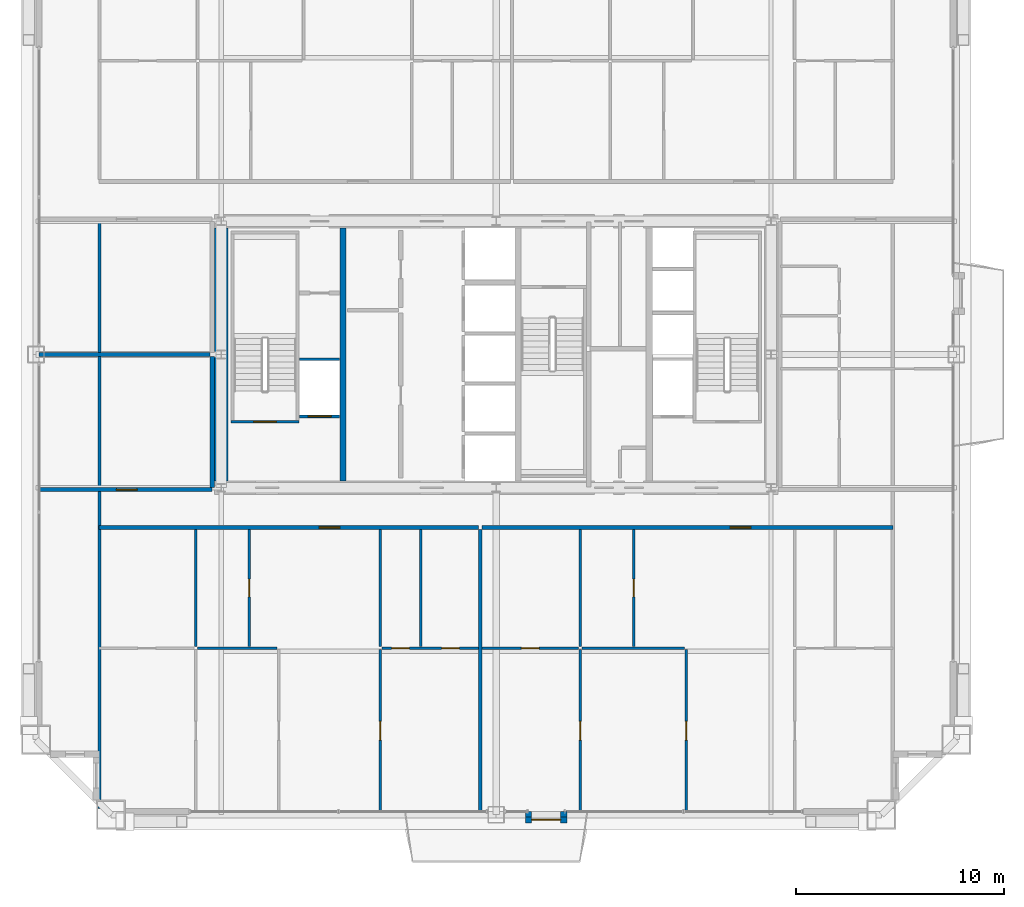
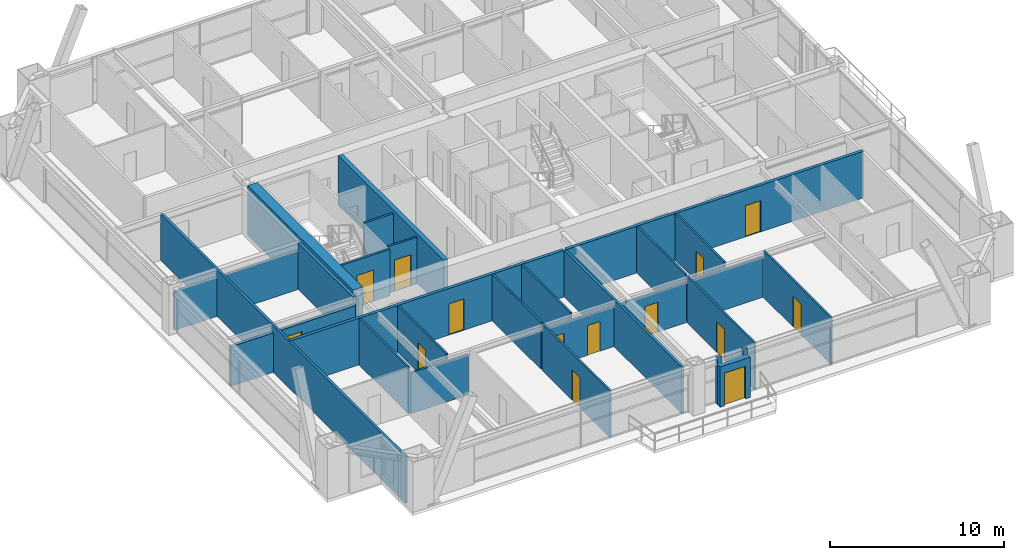
# One storey, part 40 of 45: 28 walls, 14 doors, 14 openings.
"""IFC4 building model written with IfcOpenShell, lengths in metres."""

from ifc_helpers import new_model, si_unit, direction, frame, frame_2d, origin, place, context, subcontext, project, spatial, rectangle, extrude, source, transform, mapped, material, layer, layer_set, type_object, element, fill, save


model = new_model("IFC4")

# Units and contexts
model_context = context("Model", 3, precision=1e-05, world=origin(), true_north=direction((0.0, 1.0)))
body_context = subcontext(model_context, "Body", "Model", "MODEL_VIEW")
ifc_project = project(units=[si_unit("LENGTHUNIT", "METRE"), si_unit("AREAUNIT", "SQUARE_METRE"), si_unit("VOLUMEUNIT", "CUBIC_METRE"), si_unit("PLANEANGLEUNIT", "RADIAN"), si_unit("MASSUNIT", "GRAM", prefix="KILO"), si_unit("THERMODYNAMICTEMPERATUREUNIT", "KELVIN"), si_unit("POWERUNIT", "WATT")], contexts=[model_context])

# Site, building, storey
site_placement = place(None, origin())
site = spatial("IfcSite", under=ifc_project, at=site_placement, CompositionType="ELEMENT")
building_placement = place(site_placement, origin())
building = spatial("IfcBuilding", under=site, at=building_placement, Name="Yuzanri Waterfront Tower", CompositionType="ELEMENT")
storey_placement = place(building_placement, frame((0.0, 0.0, 191.5)))
storey = spatial("IfcBuildingStorey", under=building, at=storey_placement, Name="L50", CompositionType="ELEMENT", Elevation=191.5)

# Wall, opening, door
ifc_material_1 = material(Name="Moisture-Resistant Gypsum Stud Wall", Category="gypsum")
ifc_layer_1 = layer(ifc_material_1, 0.1201171875)
ifc_layer_set_1 = layer_set([ifc_layer_1], Name="Moisture-Resistant Gypsum Stud Wall")
wall_type_1 = type_object("IfcWallType", Name="Bathroom and Kitchen Wet Partition 120", PredefinedType="PARTITIONING", material=ifc_layer_set_1)
wall_1_placement = place(storey_placement, frame((25.134033203125, 11.780029296875, 0.0), z_axis=(0.0, 0.0, 1.0), x_axis=(0.0, 1.0, 0.0)))
wall_1 = element("IfcWall", 1, at=wall_1_placement, inside=storey, type_object=wall_type_1, Name="L50 Partition UW-L50-RS1-SUB-2-E", PredefinedType="PARTITIONING", context=body_context, shape_type="SweptSolid", body=[
    extrude(rectangle(XDim=5.60986328125, YDim=0.1201171875, at=frame_2d((2.804931640625, 0.0))), origin(), (0.0, 0.0, 1.0), 3.280029296875),
])
opening_1_placement = place(wall_1_placement, frame((2.3798828125, 0.0, 0.0)))
opening_1 = element("IfcOpeningElement", 2, at=opening_1_placement, cuts=wall_1, Name="Opening ID-0850", PredefinedType="OPENING", context=body_context, shape_type="SweptSolid", body=[
    extrude(rectangle(XDim=0.85009765625, YDim=2.10009765625, at=frame_2d((0.425048828125, 1.050048828125))), frame((0.0, 0.074951171875, 0.0), z_axis=(0.0, -1.0, 0.0), x_axis=(1.0, 0.0, 0.0)), (0.0, 0.0, 1.0), 0.14990234375),
])
ifc_material_2 = material(Name="Moisture-Resistant Lacquered Timber", Category="wood")
door_type_1 = type_object("IfcDoorType", Name="En-Suite Bathroom and Kitchen Swing Door 850x2100", OperationType="NOTDEFINED", PredefinedType="DOOR", material=ifc_material_2)
shared_shape_1 = source(origin(), body_context, "Body", "SweptSolid", [
    extrude(rectangle(XDim=0.85009765625, YDim=2.10009765625, at=frame_2d((0.425048828125, 1.050048828125))), frame((0.0, 0.02490234375, 0.0), z_axis=(0.0, -1.0, 0.0), x_axis=(1.0, 0.0, 0.0)), (0.0, 0.0, 1.0), 0.050048828125),
])
door_1_placement = place(opening_1_placement, origin())
door_1 = element("IfcDoor", 3, at=door_1_placement, inside=storey, type_object=door_type_1, Name="L50 Suite Interior Room Door", OperationType="SINGLE_SWING_RIGHT", OverallHeight=2.10009765625, OverallWidth=0.85009765625, PredefinedType="DOOR", context=body_context, shape_type="MappedRepresentation", body=[
    mapped(shared_shape_1, transform((0.0, 0.0, 0.0), scale=1.0)),
])
fill(opening_1, door_1)

# Wall, openings, doors
wall_2_placement = place(storey_placement, frame((31.510986328125, 11.699951171875, 0.0), z_axis=(0.0, 0.0, 1.0), x_axis=(1.0, 0.0, 0.0)))
wall_2 = element("IfcWall", 4, at=wall_2_placement, inside=storey, type_object=wall_type_1, Name="L50 Partition UW-L50-RS1-SUB-6-N", PredefinedType="PARTITIONING", context=body_context, shape_type="SweptSolid", body=[
    extrude(rectangle(XDim=4.64697265625, YDim=0.1201171875, at=frame_2d((2.323486328125, 0.0))), origin(), (0.0, 0.0, 1.0), 2.875),
])
opening_2_placement = place(wall_2_placement, frame((2.8720703125, 0.0, 0.0)))
opening_2 = element("IfcOpeningElement", 5, at=opening_2_placement, cuts=wall_2, Name="Opening ID-0850", PredefinedType="OPENING", context=body_context, shape_type="SweptSolid", body=[
    extrude(rectangle(XDim=0.85009765625, YDim=2.10009765625, at=frame_2d((0.425048828125, 1.050048828125))), frame((0.0, 0.074951171875, 0.0), z_axis=(0.0, -1.0, 0.0), x_axis=(1.0, 0.0, 0.0)), (0.0, 0.0, 1.0), 0.14990234375),
])
opening_3_placement = place(wall_2_placement, frame((0.468505859375, 0.0, 0.0)))
opening_3 = element("IfcOpeningElement", 6, at=opening_3_placement, cuts=wall_2, Name="Opening ID-0850", PredefinedType="OPENING", context=body_context, shape_type="SweptSolid", body=[
    extrude(rectangle(XDim=0.85009765625, YDim=2.10009765625, at=frame_2d((0.425048828125, 1.050048828125))), frame((0.0, 0.074951171875, 0.0), z_axis=(0.0, -1.0, 0.0), x_axis=(1.0, 0.0, 0.0)), (0.0, 0.0, 1.0), 0.14990234375),
])
door_2_placement = place(opening_2_placement, origin())
door_2 = element("IfcDoor", 7, at=door_2_placement, inside=storey, type_object=door_type_1, Name="L50 Suite Interior Room Door", OperationType="SINGLE_SWING_LEFT", OverallHeight=2.10009765625, OverallWidth=0.85009765625, PredefinedType="DOOR", context=body_context, shape_type="MappedRepresentation", body=[
    mapped(shared_shape_1, transform((0.0, 0.0, 0.0), scale=1.0)),
])
fill(opening_2, door_2)
door_3_placement = place(opening_3_placement, origin())
door_3 = element("IfcDoor", 8, at=door_3_placement, inside=storey, type_object=door_type_1, Name="L50 Suite Interior Room Door", OperationType="SINGLE_SWING_RIGHT", OverallHeight=2.10009765625, OverallWidth=0.85009765625, PredefinedType="DOOR", context=body_context, shape_type="MappedRepresentation", body=[
    mapped(shared_shape_1, transform((0.0, 0.0, 0.0), scale=1.0)),
])
fill(opening_3, door_3)

# Wall, opening, door
wall_3_placement = place(storey_placement, frame((31.430908203125, 3.85009765625, 0.0), z_axis=(0.0, 0.0, 1.0), x_axis=(0.0, 1.0, 0.0)))
wall_3 = element("IfcWall", 9, at=wall_3_placement, inside=storey, type_object=wall_type_1, Name="L50 Partition UW-L50-RS1-SUB-6-W", PredefinedType="PARTITIONING", context=body_context, shape_type="SweptSolid", body=[
    extrude(rectangle(XDim=7.77001953125, YDim=0.1201171875, at=frame_2d((3.885009765625, 0.0))), origin(), (0.0, 0.0, 1.0), 3.280029296875),
])
opening_4_placement = place(wall_3_placement, frame((3.43505859375, 0.0, 0.0)))
opening_4 = element("IfcOpeningElement", 10, at=opening_4_placement, cuts=wall_3, Name="Opening ID-0900", PredefinedType="OPENING", context=body_context, shape_type="SweptSolid", body=[
    extrude(rectangle(XDim=0.89990234375, YDim=2.14990234375, at=frame_2d((0.449951171875, 1.074951171875))), frame((0.0, 0.074951171875, 0.0), z_axis=(0.0, -1.0, 0.0), x_axis=(1.0, 0.0, 0.0)), (0.0, 0.0, 1.0), 0.14990234375),
])
ifc_material_3 = material(Name="Stained Walnut Veneer Timber", Category="wood")
door_type_2 = type_object("IfcDoorType", Name="Bedroom and Study Interior Swing Door 900x2150", OperationType="NOTDEFINED", PredefinedType="DOOR", material=ifc_material_3)
shared_shape_2 = source(origin(), body_context, "Body", "SweptSolid", [
    extrude(rectangle(XDim=0.89990234375, YDim=2.14990234375, at=frame_2d((0.449951171875, 1.074951171875))), frame((0.0, 0.02490234375, 0.0), z_axis=(0.0, -1.0, 0.0), x_axis=(1.0, 0.0, 0.0)), (0.0, 0.0, 1.0), 0.050048828125),
])
door_4_placement = place(opening_4_placement, origin())
door_4 = element("IfcDoor", 11, at=door_4_placement, inside=storey, type_object=door_type_2, Name="L50 Suite Interior Room Door", OperationType="SINGLE_SWING_RIGHT", OverallHeight=2.14990234375, OverallWidth=0.89990234375, PredefinedType="DOOR", context=body_context, shape_type="MappedRepresentation", body=[
    mapped(shared_shape_2, transform((0.0, 0.0, 0.0), scale=1.0)),
])
fill(opening_4, door_4)

wall_4_placement = place(storey_placement, frame((36.318115234375, 11.699951171875, 0.0), z_axis=(0.0, 0.0, 1.0), x_axis=(1.0, 0.0, 0.0)))
wall_4 = element("IfcWall", 12, at=wall_4_placement, inside=storey, type_object=wall_type_1, Name="L50 Partition UW-L50-RS2-SUB-1-S", PredefinedType="PARTITIONING", context=body_context, shape_type="SweptSolid", body=[
    extrude(rectangle(XDim=4.64697265625, YDim=0.1201171875, at=frame_2d((2.323486328125, 0.0))), origin(), (0.0, 0.0, 1.0), 2.875),
])
opening_5_placement = place(wall_4_placement, frame((1.8984375, 0.0, 0.0)))
opening_5 = element("IfcOpeningElement", 13, at=opening_5_placement, cuts=wall_4, Name="Opening ID-0850", PredefinedType="OPENING", context=body_context, shape_type="SweptSolid", body=[
    extrude(rectangle(XDim=0.85009765625, YDim=2.10009765625, at=frame_2d((0.425048828125, 1.050048828125))), frame((0.0, 0.074951171875, 0.0), z_axis=(0.0, -1.0, 0.0), x_axis=(1.0, 0.0, 0.0)), (0.0, 0.0, 1.0), 0.14990234375),
])
door_5_placement = place(opening_5_placement, origin())
door_5 = element("IfcDoor", 14, at=door_5_placement, inside=storey, type_object=door_type_1, Name="L50 Suite Interior Room Door", OperationType="SINGLE_SWING_LEFT", OverallHeight=2.10009765625, OverallWidth=0.85009765625, PredefinedType="DOOR", context=body_context, shape_type="MappedRepresentation", body=[
    mapped(shared_shape_1, transform((0.0, 0.0, 0.0), scale=1.0)),
])
fill(opening_5, door_5)

wall_5_placement = place(storey_placement, frame((43.60498046875, 11.780029296875, 0.0), z_axis=(0.0, 0.0, 1.0), x_axis=(0.0, 1.0, 0.0)))
wall_5 = element("IfcWall", 15, at=wall_5_placement, inside=storey, type_object=wall_type_1, Name="L50 Partition UW-L50-RS2-SUB-2-E", PredefinedType="PARTITIONING", context=body_context, shape_type="SweptSolid", body=[
    extrude(rectangle(XDim=5.60986328125, YDim=0.1201171875, at=frame_2d((2.804931640625, 0.0))), origin(), (0.0, 0.0, 1.0), 3.280029296875),
])
opening_6_placement = place(wall_5_placement, frame((2.3798828125, 0.0, 0.0)))
opening_6 = element("IfcOpeningElement", 16, at=opening_6_placement, cuts=wall_5, Name="Opening ID-0850", PredefinedType="OPENING", context=body_context, shape_type="SweptSolid", body=[
    extrude(rectangle(XDim=0.85009765625, YDim=2.10009765625, at=frame_2d((0.425048828125, 1.050048828125))), frame((0.0, 0.074951171875, 0.0), z_axis=(0.0, -1.0, 0.0), x_axis=(1.0, 0.0, 0.0)), (0.0, 0.0, 1.0), 0.14990234375),
])
door_6_placement = place(opening_6_placement, origin())
door_6 = element("IfcDoor", 17, at=door_6_placement, inside=storey, type_object=door_type_1, Name="L50 Suite Interior Room Door", OperationType="SINGLE_SWING_RIGHT", OverallHeight=2.10009765625, OverallWidth=0.85009765625, PredefinedType="DOOR", context=body_context, shape_type="MappedRepresentation", body=[
    mapped(shared_shape_1, transform((0.0, 0.0, 0.0), scale=1.0)),
])
fill(opening_6, door_6)

wall_6_placement = place(storey_placement, frame((41.044921875, 3.85009765625, 0.0), z_axis=(0.0, 0.0, 1.0), x_axis=(0.0, 1.0, 0.0)))
wall_6 = element("IfcWall", 18, at=wall_6_placement, inside=storey, type_object=wall_type_1, Name="L50 Partition UW-L50-RS2-SUB-5-E", PredefinedType="PARTITIONING", context=body_context, shape_type="SweptSolid", body=[
    extrude(rectangle(XDim=7.77001953125, YDim=0.1201171875, at=frame_2d((3.885009765625, 0.0))), origin(), (0.0, 0.0, 1.0), 3.280029296875),
])
opening_7_placement = place(wall_6_placement, frame((3.43505859375, 0.0, 0.0)))
opening_7 = element("IfcOpeningElement", 19, at=opening_7_placement, cuts=wall_6, Name="Opening ID-0900", PredefinedType="OPENING", context=body_context, shape_type="SweptSolid", body=[
    extrude(rectangle(XDim=0.89990234375, YDim=2.14990234375, at=frame_2d((0.449951171875, 1.074951171875))), frame((0.0, 0.074951171875, 0.0), z_axis=(0.0, -1.0, 0.0), x_axis=(1.0, 0.0, 0.0)), (0.0, 0.0, 1.0), 0.14990234375),
])
door_7_placement = place(opening_7_placement, origin())
door_7 = element("IfcDoor", 20, at=door_7_placement, inside=storey, type_object=door_type_2, Name="L50 Suite Interior Room Door", OperationType="SINGLE_SWING_LEFT", OverallHeight=2.14990234375, OverallWidth=0.89990234375, PredefinedType="DOOR", context=body_context, shape_type="MappedRepresentation", body=[
    mapped(shared_shape_2, transform((0.0, 0.0, 0.0), scale=1.0)),
])
fill(opening_7, door_7)

wall_7_placement = place(storey_placement, frame((46.133056640625, 3.85009765625, 0.0), z_axis=(0.0, 0.0, 1.0), x_axis=(0.0, 1.0, 0.0)))
wall_7 = element("IfcWall", 21, at=wall_7_placement, inside=storey, type_object=wall_type_1, Name="L50 Partition UW-L50-RS2-SUB-7-E", PredefinedType="PARTITIONING", context=body_context, shape_type="SweptSolid", body=[
    extrude(rectangle(XDim=7.77001953125, YDim=0.1201171875, at=frame_2d((3.885009765625, 0.0))), origin(), (0.0, 0.0, 1.0), 3.280029296875),
])
opening_8_placement = place(wall_7_placement, frame((3.43505859375, 0.0, 0.0)))
opening_8 = element("IfcOpeningElement", 22, at=opening_8_placement, cuts=wall_7, Name="Opening ID-0900", PredefinedType="OPENING", context=body_context, shape_type="SweptSolid", body=[
    extrude(rectangle(XDim=0.89990234375, YDim=2.14990234375, at=frame_2d((0.449951171875, 1.074951171875))), frame((0.0, 0.074951171875, 0.0), z_axis=(0.0, -1.0, 0.0), x_axis=(1.0, 0.0, 0.0)), (0.0, 0.0, 1.0), 0.14990234375),
])
door_8_placement = place(opening_8_placement, origin())
door_8 = element("IfcDoor", 23, at=door_8_placement, inside=storey, type_object=door_type_2, Name="L50 Suite Interior Room Door", OperationType="SINGLE_SWING_LEFT", OverallHeight=2.14990234375, OverallWidth=0.89990234375, PredefinedType="DOOR", context=body_context, shape_type="MappedRepresentation", body=[
    mapped(shared_shape_2, transform((0.0, 0.0, 0.0), scale=1.0)),
])
fill(opening_8, door_8)

ifc_material_4 = material(Name="Honed Chongqing Dark Basalt Stone", Category="masonry")
ifc_layer_2 = layer(ifc_material_4, 0.300048828125)
ifc_layer_set_2 = layer_set([ifc_layer_2], Name="Honed Chongqing Dark Basalt Stone")
wall_type_2 = type_object("IfcWallType", Name="Bronze Rainscreen Insulated Spandrel Portal Wall 300", PredefinedType="SOLIDWALL", material=ifc_layer_set_2)
wall_8_placement = place(storey_placement, frame((38.39990234375, 3.449951171875, 0.0), z_axis=(0.0, 0.0, 1.0), x_axis=(1.0, 0.0, 0.0)))
wall_8 = element("IfcWall", 24, at=wall_8_placement, inside=storey, type_object=wall_type_2, Name="L50 S Terrace Door Portal Wall", PredefinedType="SOLIDWALL", context=body_context, shape_type="SweptSolid", body=[
    extrude(rectangle(XDim=2.0, YDim=0.300048828125, at=frame_2d((1.0, 0.0))), origin(), (0.0, 0.0, 1.0), 2.8349609375),
])
opening_9_placement = place(wall_8_placement, frame((0.300048828125, 0.0, 0.0)))
opening_9 = element("IfcOpeningElement", 25, at=opening_9_placement, cuts=wall_8, Name="Opening TD-1400", PredefinedType="OPENING", context=body_context, shape_type="SweptSolid", body=[
    extrude(rectangle(XDim=1.39990234375, YDim=2.300048828125, at=frame_2d((0.699951171875, 1.14990234375))), frame((0.0, 0.1650390625, 0.0), z_axis=(0.0, -1.0, 0.0), x_axis=(1.0, 0.0, 0.0)), (0.0, 0.0, 1.0), 0.329833984375),
])
ifc_material_5 = material(Name="Anodized Architectural Bronze", Category="metal")
door_type_3 = type_object("IfcDoorType", Name="Anodized Bronze Balcony and Terrace Glazed Double Door 1400x2300", OperationType="NOTDEFINED", PredefinedType="DOOR", material=ifc_material_5)
shared_shape_3 = source(origin(), body_context, "Body", "SweptSolid", [
    extrude(rectangle(XDim=1.39990234375, YDim=2.300048828125, at=frame_2d((0.699951171875, 1.14990234375))), frame((0.0, 0.02490234375, 0.0), z_axis=(0.0, -1.0, 0.0), x_axis=(1.0, 0.0, 0.0)), (0.0, 0.0, 1.0), 0.050048828125),
])
door_9_placement = place(opening_9_placement, origin())
door_9 = element("IfcDoor", 26, at=door_9_placement, inside=storey, type_object=door_type_3, Name="L50 S Terrace Glazed Double Door", OperationType="DOUBLE_DOOR_SINGLE_SWING", OverallHeight=2.300048828125, OverallWidth=1.39990234375, PredefinedType="DOOR", context=body_context, shape_type="MappedRepresentation", body=[
    mapped(shared_shape_3, transform((0.0, 0.0, 0.0), scale=1.0)),
])
fill(opening_9, door_9)

ifc_material_6 = material(Name="Concrete C40", Category="concrete")
ifc_layer_3 = layer(ifc_material_6, 0.139892578125)
ifc_layer_set_3 = layer_set([ifc_layer_3], Name="Concrete C40")
wall_type_3 = type_object("IfcWallType", Name="Core Stair Liner and Hoistway Shaft Wall 140", PredefinedType="SOLIDWALL", material=ifc_layer_set_3)
wall_9_placement = place(storey_placement, frame((27.56005859375, 22.830078125, 0.0), z_axis=(0.0, 0.0, 1.0), x_axis=(1.0, 0.0, 0.0)))
wall_9 = element("IfcWall", 27, at=wall_9_placement, inside=storey, type_object=wall_type_3, Name="L50 Lift FL-01 Front Shaft Wall", PredefinedType="SOLIDWALL", context=body_context, shape_type="SweptSolid", body=[
    extrude(rectangle(XDim=1.919921875, YDim=0.139892578125, at=frame_2d((0.9599609375, 0.0))), origin(), (0.0, 0.0, 1.0), 3.280029296875),
])
opening_10_placement = place(wall_9_placement, frame((0.409912109375, 0.0, 0.0)))
opening_10 = element("IfcOpeningElement", 28, at=opening_10_placement, cuts=wall_9, Name="Opening LD-FL-01", PredefinedType="OPENING", context=body_context, shape_type="SweptSolid", body=[
    extrude(rectangle(XDim=1.10009765625, YDim=2.199951171875, at=frame_2d((0.550048828125, 1.10009765625))), frame((0.0, 0.0849609375, 0.0), z_axis=(0.0, -1.0, 0.0), x_axis=(1.0, 0.0, 0.0)), (0.0, 0.0, 1.0), 0.169677734375),
])
ifc_material_7 = material(Name="Brushed Bronze and Stainless Steel Cab", Category="steel")
door_type_4 = type_object("IfcDoorType", Name="Center-Parting Bronze Lift Landing Sliding Door 1100x2200", OperationType="NOTDEFINED", PredefinedType="DOOR", material=ifc_material_7)
shared_shape_4 = source(origin(), body_context, "Body", "SweptSolid", [
    extrude(rectangle(XDim=1.10009765625, YDim=2.199951171875, at=frame_2d((0.550048828125, 1.10009765625))), frame((0.0, 0.02490234375, 0.0), z_axis=(0.0, -1.0, 0.0), x_axis=(1.0, 0.0, 0.0)), (0.0, 0.0, 1.0), 0.050048828125),
])
door_10_placement = place(opening_10_placement, origin())
door_10 = element("IfcDoor", 29, at=door_10_placement, inside=storey, type_object=door_type_4, Name="L50 FL-01 Lift Landing Sliding Door", OperationType="SLIDING_TO_LEFT", OverallHeight=2.199951171875, OverallWidth=1.10009765625, PredefinedType="DOOR", context=body_context, shape_type="MappedRepresentation", body=[
    mapped(shared_shape_4, transform((0.0, 0.0, 0.0), scale=1.0)),
])
fill(opening_10, door_10)

wall_10_placement = place(storey_placement, frame((24.260009765625, 22.570068359375, 0.0), z_axis=(0.0, 0.0, 1.0), x_axis=(1.0, 0.0, 0.0)))
wall_10 = element("IfcWall", 30, at=wall_10_placement, inside=storey, type_object=wall_type_3, Name="L50 Shaft Wall STW-L50-ST-01-S", PredefinedType="SOLIDWALL", context=body_context, shape_type="SweptSolid", body=[
    extrude(rectangle(XDim=3.280029296875, YDim=0.139892578125, at=frame_2d((1.64013671875, 0.0))), origin(), (0.0, 0.0, 1.0), 3.280029296875),
])
opening_11_placement = place(wall_10_placement, frame((1.090087890625, 0.0, 0.0)))
opening_11 = element("IfcOpeningElement", 31, at=opening_11_placement, cuts=wall_10, Name="Opening FD-1100", PredefinedType="OPENING", context=body_context, shape_type="SweptSolid", body=[
    extrude(rectangle(XDim=1.10009765625, YDim=2.199951171875, at=frame_2d((0.550048828125, 1.10009765625))), frame((0.0, 0.0849609375, 0.0), z_axis=(0.0, -1.0, 0.0), x_axis=(1.0, 0.0, 0.0)), (0.0, 0.0, 1.0), 0.169677734375),
])
ifc_material_8 = material(Name="Painted Galvanized Fire Steel", Category="steel")
door_type_5 = type_object("IfcDoorType", Name="Smoke-Proof Stair and Lobby Fire Door 1100x2200", OperationType="NOTDEFINED", PredefinedType="DOOR", material=ifc_material_8)
shared_shape_5 = source(origin(), body_context, "Body", "SweptSolid", [
    extrude(rectangle(XDim=1.10009765625, YDim=2.199951171875, at=frame_2d((0.550048828125, 1.10009765625))), frame((0.0, 0.02490234375, 0.0), z_axis=(0.0, -1.0, 0.0), x_axis=(1.0, 0.0, 0.0)), (0.0, 0.0, 1.0), 0.050048828125),
])
door_11_placement = place(opening_11_placement, origin())
door_11 = element("IfcDoor", 32, at=door_11_placement, inside=storey, type_object=door_type_5, Name="L50 Stair ST-01 Fire Door", OperationType="SINGLE_SWING_RIGHT", OverallHeight=2.199951171875, OverallWidth=1.10009765625, PredefinedType="DOOR", context=body_context, shape_type="MappedRepresentation", body=[
    mapped(shared_shape_5, transform((0.0, 0.0, 0.0), scale=1.0)),
])
fill(opening_11, door_11)

ifc_material_9 = material(Name="Autoclaved Aerated Concrete Blockwork", Category="masonry")
ifc_layer_4 = layer(ifc_material_9, 0.199951171875)
ifc_layer_set_4 = layer_set([ifc_layer_4], Name="Autoclaved Aerated Concrete Blockwork")
wall_type_4 = type_object("IfcWallType", Name="Corridor and Unit Party Fire Wall 200", PredefinedType="PARTITIONING", material=ifc_layer_set_4)
wall_11_placement = place(storey_placement, frame((17.93994140625, 17.489990234375, 0.0), z_axis=(0.0, 0.0, 1.0), x_axis=(1.0, 0.0, 0.0)))
wall_11 = element("IfcWall", 33, at=wall_11_placement, inside=storey, type_object=wall_type_4, Name="L50 Partition UW-L50-RS1-CN", PredefinedType="PARTITIONING", context=body_context, shape_type="SweptSolid", body=[
    extrude(rectangle(XDim=18.218017578125, YDim=0.199951171875, at=frame_2d((9.10888671875, 0.0))), origin(), (0.0, 0.0, 1.0), 3.280029296875),
])
opening_12_placement = place(wall_11_placement, frame((10.555908203125, 0.0, 0.0)))
opening_12 = element("IfcOpeningElement", 34, at=opening_12_placement, cuts=wall_11, Name="Opening FD-1000", PredefinedType="OPENING", context=body_context, shape_type="SweptSolid", body=[
    extrude(rectangle(XDim=1.0, YDim=2.199951171875, at=frame_2d((0.5, 1.10009765625))), frame((0.0, 0.11474609375, 0.0), z_axis=(0.0, -1.0, 0.0), x_axis=(1.0, 0.0, 0.0)), (0.0, 0.0, 1.0), 0.229736328125),
])
ifc_material_10 = material(Name="Engineered Oak Fire-Rated Timber", Category="wood")
door_type_6 = type_object("IfcDoorType", Name="Guestroom and Apartment Entrance Fire Door 1000x2200", OperationType="NOTDEFINED", PredefinedType="DOOR", material=ifc_material_10)
shared_shape_6 = source(origin(), body_context, "Body", "SweptSolid", [
    extrude(rectangle(XDim=1.0, YDim=2.199951171875, at=frame_2d((0.5, 1.10009765625))), frame((0.0, 0.02490234375, 0.0), z_axis=(0.0, -1.0, 0.0), x_axis=(1.0, 0.0, 0.0)), (0.0, 0.0, 1.0), 0.050048828125),
])
door_12_placement = place(opening_12_placement, origin())
door_12 = element("IfcDoor", 35, at=door_12_placement, inside=storey, type_object=door_type_6, Name="L50 Apartment Living and Dining Salon Entrance Door", OperationType="SINGLE_SWING_RIGHT", OverallHeight=2.199951171875, OverallWidth=1.0, PredefinedType="DOOR", context=body_context, shape_type="MappedRepresentation", body=[
    mapped(shared_shape_6, transform((0.0, 0.0, 0.0), scale=1.0)),
])
fill(opening_12, door_12)

wall_12_placement = place(storey_placement, frame((36.318115234375, 17.489990234375, 0.0), z_axis=(0.0, 0.0, 1.0), x_axis=(1.0, 0.0, 0.0)))
wall_12 = element("IfcWall", 36, at=wall_12_placement, inside=storey, type_object=wall_type_4, Name="L50 Partition UW-L50-RS2-CN", PredefinedType="PARTITIONING", context=body_context, shape_type="SweptSolid", body=[
    extrude(rectangle(XDim=19.741943359375, YDim=0.199951171875, at=frame_2d((9.87109375, 0.0))), origin(), (0.0, 0.0, 1.0), 3.280029296875),
])
opening_13_placement = place(wall_12_placement, frame((11.9150390625, 0.0, 0.0)))
opening_13 = element("IfcOpeningElement", 37, at=opening_13_placement, cuts=wall_12, Name="Opening FD-1000", PredefinedType="OPENING", context=body_context, shape_type="SweptSolid", body=[
    extrude(rectangle(XDim=1.0, YDim=2.199951171875, at=frame_2d((0.5, 1.10009765625))), frame((0.0, 0.11474609375, 0.0), z_axis=(0.0, -1.0, 0.0), x_axis=(1.0, 0.0, 0.0)), (0.0, 0.0, 1.0), 0.229736328125),
])
door_13_placement = place(opening_13_placement, origin())
door_13 = element("IfcDoor", 38, at=door_13_placement, inside=storey, type_object=door_type_6, Name="L50 Apartment Living and Dining Salon Entrance Door", OperationType="SINGLE_SWING_RIGHT", OverallHeight=2.199951171875, OverallWidth=1.0, PredefinedType="DOOR", context=body_context, shape_type="MappedRepresentation", body=[
    mapped(shared_shape_6, transform((0.0, 0.0, 0.0), scale=1.0)),
])
fill(opening_13, door_13)

wall_13_placement = place(storey_placement, frame((15.050048828125, 19.31005859375, 0.0), z_axis=(0.0, 0.0, 1.0), x_axis=(1.0, 0.0, 0.0)))
wall_13 = element("IfcWall", 39, at=wall_13_placement, inside=storey, type_object=wall_type_4, Name="L50 Partition UW-L50-050-CS", PredefinedType="PARTITIONING", context=body_context, shape_type="SweptSolid", body=[
    extrude(rectangle(XDim=8.300048828125, YDim=0.199951171875, at=frame_2d((4.14990234375, 0.0))), origin(), (0.0, 0.0, 1.0), 2.77490234375),
])
opening_14_placement = place(wall_13_placement, frame((3.715087890625, 0.0, 0.0)))
opening_14 = element("IfcOpeningElement", 40, at=opening_14_placement, cuts=wall_13, Name="Opening FD-1000", PredefinedType="OPENING", context=body_context, shape_type="SweptSolid", body=[
    extrude(rectangle(XDim=1.0, YDim=2.199951171875, at=frame_2d((0.5, 1.10009765625))), frame((0.0, 0.11474609375, 0.0), z_axis=(0.0, -1.0, 0.0), x_axis=(1.0, 0.0, 0.0)), (0.0, 0.0, 1.0), 0.229736328125),
])
door_14_placement = place(opening_14_placement, origin())
door_14 = element("IfcDoor", 41, at=door_14_placement, inside=storey, type_object=door_type_6, Name="L50 Residents W Sky Club Room Entrance Door", OperationType="SINGLE_SWING_RIGHT", OverallHeight=2.199951171875, OverallWidth=1.0, PredefinedType="DOOR", context=body_context, shape_type="MappedRepresentation", body=[
    mapped(shared_shape_6, transform((0.0, 0.0, 0.0), scale=1.0)),
])
fill(opening_14, door_14)

# Walls
ifc_material_11 = material(Name="Concrete C50", Category="concrete")
ifc_layer_5 = layer(ifc_material_11, 0.64990234375)
ifc_layer_set_5 = layer_set([ifc_layer_5], Name="Concrete C50")
wall_type_5 = type_object("IfcWallType", Name="Concrete C50 Mid Zone Core Shear Wall 650", PredefinedType="SHEAR", material=ifc_layer_set_5)
shared_shape_7 = source(origin(), body_context, "Body", "SweptSolid", [
    extrude(rectangle(XDim=12.14990234375, YDim=0.64990234375, at=frame_2d((6.074951171875, 0.0))), origin(), (0.0, 0.0, 1.0), 3.5),
])
wall_14_placement = place(storey_placement, frame((23.800048828125, 19.72509765625, 0.0), z_axis=(0.0, 0.0, 1.0), x_axis=(0.0, 1.0, 0.0)))
element("IfcWall", 42, at=wall_14_placement, inside=storey, type_object=wall_type_5, Name="L50 Core West Shear Wall", PredefinedType="SHEAR", context=body_context, shape_type="MappedRepresentation", body=[
    mapped(shared_shape_7, transform((0.0, 0.0, 0.0), scale=1.0)),
])
ifc_material_12 = material(Name="Concrete C50", Category="concrete")
ifc_layer_6 = layer(ifc_material_12, 0.300048828125)
ifc_layer_set_6 = layer_set([ifc_layer_6], Name="Concrete C50")
wall_type_6 = type_object("IfcWallType", Name="Concrete C50 Internal Core Shaft Structural Wall 300", PredefinedType="SOLIDWALL", material=ifc_layer_set_6)
shared_shape_8 = source(origin(), body_context, "Body", "SweptSolid", [
    extrude(rectangle(XDim=12.14990234375, YDim=0.300048828125, at=frame_2d((6.074951171875, 0.0))), origin(), (0.0, 0.0, 1.0), 3.5),
])
wall_15_placement = place(storey_placement, frame((29.64990234375, 19.72509765625, 0.0), z_axis=(0.0, 0.0, 1.0), x_axis=(0.0, 1.0, 0.0)))
element("IfcWall", 43, at=wall_15_placement, inside=storey, type_object=wall_type_6, Name="L50 Core Internal Structural Web Wall 1", PredefinedType="SOLIDWALL", context=body_context, shape_type="MappedRepresentation", body=[
    mapped(shared_shape_8, transform((0.0, 0.0, 0.0), scale=1.0)),
])
shared_shape_9 = source(origin(), body_context, "Body", "SweptSolid", [
    extrude(rectangle(XDim=0.25, YDim=0.300048828125, at=frame_2d((0.125, 0.0))), origin(), (0.0, 0.0, 1.0), 3.280029296875),
])
for number, where, z_axis, x_axis, name in (
    (44, (38.550048828125, 3.85009765625, 0.0), (0.0, 0.0, 1.0), (0.0, -1.0, 0.0), "L50 S Terrace Portal Left Return"),
    (45, (40.25, 3.60009765625, 0.0), (0.0, 0.0, 1.0), (0.0, 1.0, 0.0), "L50 S Terrace Portal Right Return"),
):
    element("IfcWall", number, at=place(storey_placement, frame(where, z_axis=z_axis, x_axis=x_axis)), inside=storey, type_object=wall_type_2, Name=name, PredefinedType="SOLIDWALL", context=body_context, shape_type="MappedRepresentation", body=[
        mapped(shared_shape_9, transform((0.0, 0.0, 0.0), scale=1.0)),
    ])
shared_shape_10 = source(origin(), body_context, "Body", "SweptSolid", [
    extrude(rectangle(XDim=1.919921875, YDim=0.139892578125, at=frame_2d((0.9599609375, 0.0))), origin(), (0.0, 0.0, 1.0), 3.280029296875),
])
wall_16_placement = place(storey_placement, frame((27.56005859375, 25.570068359375, 0.0), z_axis=(0.0, 0.0, 1.0), x_axis=(1.0, 0.0, 0.0)))
element("IfcWall", 46, at=wall_16_placement, inside=storey, type_object=wall_type_3, Name="L50 Lift FL-01 Back Shaft Wall", PredefinedType="SOLIDWALL", context=body_context, shape_type="MappedRepresentation", body=[
    mapped(shared_shape_10, transform((0.0, 0.0, 0.0), scale=1.0)),
])
ifc_material_13 = material(Name="Gypsum Fireboard Acoustic Stud Wall", Category="gypsum")
ifc_layer_7 = layer(ifc_material_13, 0.159912109375)
ifc_layer_set_7 = layer_set([ifc_layer_7], Name="Gypsum Fireboard Acoustic Stud Wall")
wall_type_7 = type_object("IfcWallType", Name="Acoustic Suite Demising Partition 160", PredefinedType="PARTITIONING", material=ifc_layer_set_7)
shared_shape_11 = source(origin(), body_context, "Body", "SweptSolid", [
    extrude(rectangle(XDim=13.539794921875, YDim=0.159912109375, at=frame_2d((6.77001953125, 0.0))), origin(), (0.0, 0.0, 1.0), 3.280029296875),
])
wall_17_placement = place(storey_placement, frame((36.238037109375, 3.85009765625, 0.0), z_axis=(0.0, 0.0, 1.0), x_axis=(0.0, 1.0, 0.0)))
element("IfcWall", 47, at=wall_17_placement, inside=storey, type_object=wall_type_7, Name="L50-RS1 Party Wall", PredefinedType="PARTITIONING", context=body_context, shape_type="MappedRepresentation", body=[
    mapped(shared_shape_11, transform((0.0, 0.0, 0.0), scale=1.0)),
])
shared_shape_12 = source(origin(), body_context, "Body", "SweptSolid", [
    extrude(rectangle(XDim=5.60986328125, YDim=0.1201171875, at=frame_2d((2.804931640625, 0.0))), origin(), (0.0, 0.0, 1.0), 3.280029296875),
])
for number, where, z_axis, x_axis, name in (
    (48, (22.573974609375, 11.780029296875, 0.0), (0.0, 0.0, 1.0), (0.0, 1.0, 0.0), "L50 Partition UW-L50-RS1-SUB-1-E"),
    (49, (33.3779296875, 11.780029296875, 0.0), (0.0, 0.0, 1.0), (0.0, 1.0, 0.0), "L50 Partition UW-L50-RS1-SUB-3-W"),
    (50, (31.430908203125, 11.780029296875, 0.0), (0.0, 0.0, 1.0), (0.0, 1.0, 0.0), "L50 Partition UW-L50-RS1-SUB-4-W"),
    (51, (41.044921875, 11.780029296875, 0.0), (0.0, 0.0, 1.0), (0.0, 1.0, 0.0), "L50 Partition UW-L50-RS2-SUB-1-E"),
):
    element("IfcWall", number, at=place(storey_placement, frame(where, z_axis=z_axis, x_axis=x_axis)), inside=storey, type_object=wall_type_1, Name=name, PredefinedType="PARTITIONING", context=body_context, shape_type="MappedRepresentation", body=[
        mapped(shared_shape_12, transform((0.0, 0.0, 0.0), scale=1.0)),
    ])
shared_shape_13 = source(origin(), body_context, "Body", "SweptSolid", [
    extrude(rectangle(XDim=3.826904296875, YDim=0.1201171875, at=frame_2d((1.91357421875, 0.0))), origin(), (0.0, 0.0, 1.0), 2.875),
])
wall_18_placement = place(storey_placement, frame((22.654052734375, 11.699951171875, 0.0), z_axis=(0.0, 0.0, 1.0), x_axis=(1.0, 0.0, 0.0)))
element("IfcWall", 52, at=wall_18_placement, inside=storey, type_object=wall_type_1, Name="L50 Partition UW-L50-RS1-SUB-7-N", PredefinedType="PARTITIONING", context=body_context, shape_type="MappedRepresentation", body=[
    mapped(shared_shape_13, transform((0.0, 0.0, 0.0), scale=1.0)),
])
shared_shape_14 = source(origin(), body_context, "Body", "SweptSolid", [
    extrude(rectangle(XDim=4.927978515625, YDim=0.1201171875, at=frame_2d((2.4638671875, 0.0))), origin(), (0.0, 0.0, 1.0), 2.875),
])
wall_19_placement = place(storey_placement, frame((41.125, 11.699951171875, 0.0), z_axis=(0.0, 0.0, 1.0), x_axis=(1.0, 0.0, 0.0)))
element("IfcWall", 53, at=wall_19_placement, inside=storey, type_object=wall_type_1, Name="L50 Partition UW-L50-RS2-SUB-7-N", PredefinedType="PARTITIONING", context=body_context, shape_type="MappedRepresentation", body=[
    mapped(shared_shape_14, transform((0.0, 0.0, 0.0), scale=1.0)),
])
shared_shape_15 = source(origin(), body_context, "Body", "SweptSolid", [
    extrude(rectangle(XDim=8.21484375, YDim=0.199951171875, at=frame_2d((4.107421875, 0.0))), origin(), (0.0, 0.0, 1.0), 2.68701171875),
])
wall_20_placement = place(storey_placement, frame((15.050048828125, 25.800048828125, 0.0), z_axis=(0.0, 0.0, 1.0), x_axis=(1.0, 0.0, 0.0)))
element("IfcWall", 54, at=wall_20_placement, inside=storey, type_object=wall_type_4, Name="L50-050 Wing North Wall", PredefinedType="PARTITIONING", context=body_context, shape_type="MappedRepresentation", body=[
    mapped(shared_shape_15, transform((0.0, 0.0, 0.0), scale=1.0)),
])
shared_shape_16 = source(origin(), body_context, "Body", "SweptSolid", [
    extrude(rectangle(XDim=6.2900390625, YDim=0.199951171875, at=frame_2d((3.14501953125, 0.0))), origin(), (0.0, 0.0, 1.0), 3.280029296875),
])
wall_21_placement = place(storey_placement, frame((23.3701171875, 19.409912109375, 0.0), z_axis=(0.0, 0.0, 1.0), x_axis=(0.0, 1.0, 0.0)))
element("IfcWall", 55, at=wall_21_placement, inside=storey, type_object=wall_type_4, Name="L50-050 Wing Inner Core-Side Wall", PredefinedType="PARTITIONING", context=body_context, shape_type="MappedRepresentation", body=[
    mapped(shared_shape_16, transform((0.0, 0.0, 0.0), scale=1.0)),
])
shared_shape_17 = source(origin(), body_context, "Body", "SweptSolid", [
    extrude(rectangle(XDim=28.18994140625, YDim=0.159912109375, at=frame_2d((14.094970703125, 0.0))), origin(), (0.0, 0.0, 1.0), 3.280029296875),
])
wall_22_placement = place(storey_placement, frame((17.949951171875, 4.0, 0.0), z_axis=(0.0, 0.0, 1.0), x_axis=(0.0, 1.0, 0.0)))
element("IfcWall", 56, at=wall_22_placement, inside=storey, type_object=wall_type_7, Name="L50 South Band West End Wall", PredefinedType="PARTITIONING", context=body_context, shape_type="MappedRepresentation", body=[
    mapped(shared_shape_17, transform((0.0, 0.0, 0.0), scale=1.0)),
])

save(model, "model.ifc")
